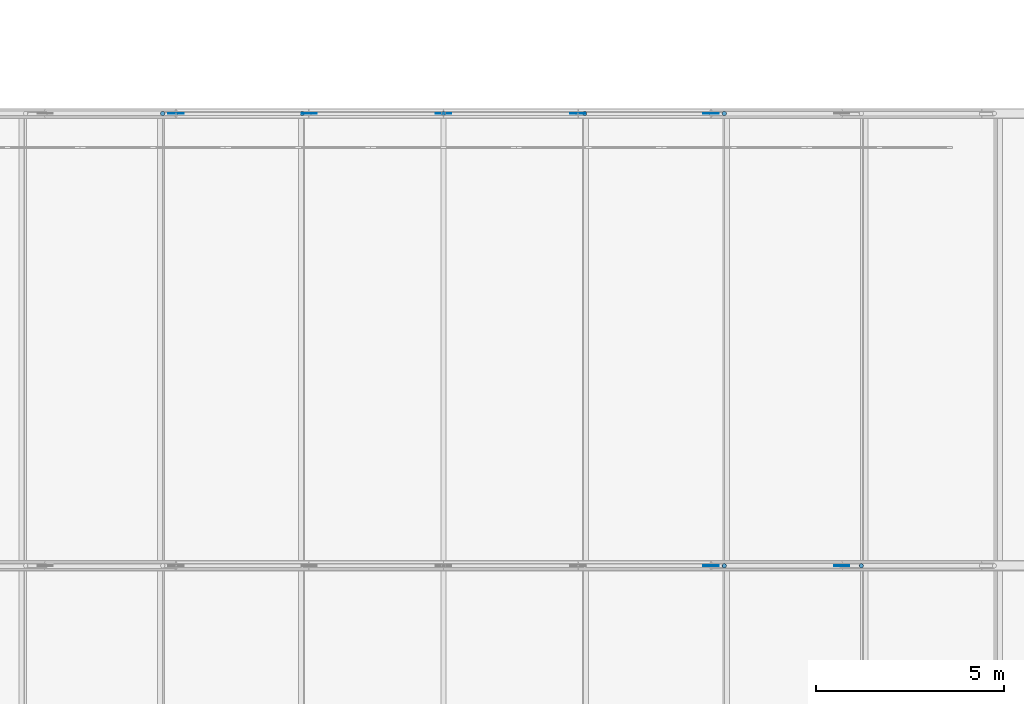
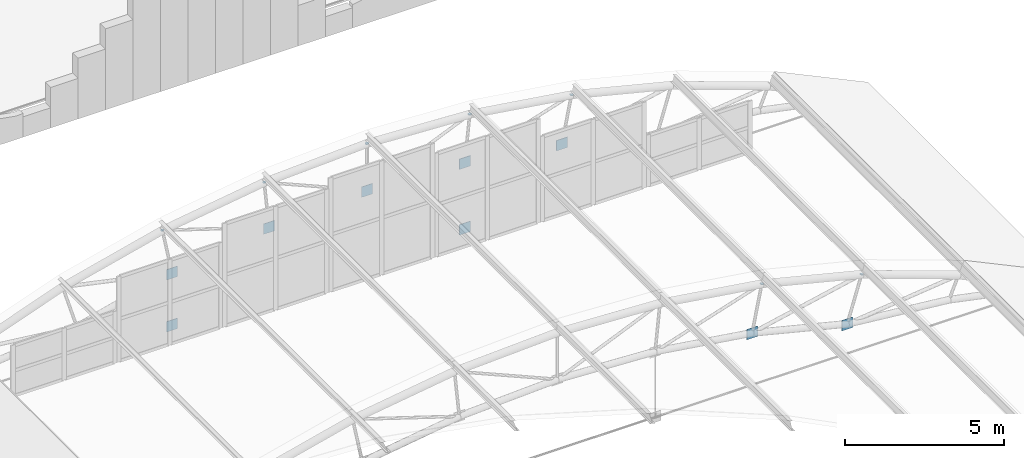
# One storey, part 309 of 321: 16 discrete accessories.
"""IFC4 building model written with IfcOpenShell, lengths in metres."""

from ifc_helpers import new_model, si_unit, direction, frame, origin, origin_2d, place, context, subcontext, project, spatial, rectangle, circle, extrude, material, material_profile, profile_set, type_object, element, save


model = new_model("IFC4")

# Units and contexts
model_context = context("Model", 3, precision=1e-05, world=origin(), true_north=direction((0.0, 1.0)))
body_context = subcontext(model_context, "Body", "Model", "MODEL_VIEW")
ifc_project = project(units=[si_unit("LENGTHUNIT", "METRE"), si_unit("AREAUNIT", "SQUARE_METRE"), si_unit("VOLUMEUNIT", "CUBIC_METRE"), si_unit("PLANEANGLEUNIT", "RADIAN"), si_unit("MASSUNIT", "GRAM", prefix="KILO")], contexts=[model_context])

# Site, building, storey
site_placement = place(None, origin())
site = spatial("IfcSite", under=ifc_project, at=site_placement, CompositionType="ELEMENT")
building_placement = place(site_placement, origin())
building = spatial("IfcBuilding", under=site, at=building_placement, Name="Ravi Spectrum Wholesale Market", CompositionType="ELEMENT")
storey_placement = place(building_placement, frame((0.0, 0.0, 10.800048828125)))
storey = spatial("IfcBuildingStorey", under=building, at=storey_placement, Name="L02", CompositionType="ELEMENT", Elevation=10.800048828125)

# Discrete accessories
ifc_material_1 = material(Name="Steel S355", Category="steel")
ifc_material_profile_1 = material_profile(ifc_material_1, circle(Radius=0.05712890625, at=origin_2d()))
ifc_profile_set_1 = profile_set([ifc_material_profile_1], Name="Steel S355")
discrete_accessory_type_1 = type_object("IfcDiscreteAccessoryType", Name="End plate CHS 114.3x4", PredefinedType="BRACKET", material=ifc_profile_set_1)
for number, where, z_axis, x_axis, name in (
    (1, (187.448486328125, 174.0, 3.767822265625), (0.18428853505, 0.0, 0.982872186934), (0.0, 1.0, 0.0), "End plate"),
    (2, (191.083251953125, 174.0, 2.859130859375), (0.2854765866, 0.0, 0.958385683586), (0.0, 1.0, 0.0), "End plate"),
    (3, (172.551513671875, 186.0, 3.767822265625), (-0.18428853505, 0.0, 0.982872186934), (0.0, -1.0, 0.0), "End plate"),
    (4, (176.2578125, 186.0, 4.31640625), (-0.101513688013, 0.0, 0.994834142531), (0.0, -1.0, 0.0), "End plate"),
    (5, (180.0, 186.0, 4.5), (0.0, 0.0, 1.0), (1.0, 0.0, 0.0), "End plate"),
    (6, (183.7421875, 186.0, 4.31640625), (0.101513688013, 0.0, 0.994834142531), (0.0, 1.0, 0.0), "End plate"),
    (7, (187.448486328125, 186.0, 3.767822265625), (0.18428853505, 0.0, 0.982872186934), (0.0, 1.0, 0.0), "End plate"),
):
    element("IfcDiscreteAccessory", number, at=place(storey_placement, frame(where, z_axis=z_axis, x_axis=x_axis)), inside=storey, type_object=discrete_accessory_type_1, Name=name, PredefinedType="BRACKET", context=body_context, shape_type="SweptSolid", body=[
        extrude(circle(Radius=0.05712890625, at=origin_2d()), origin(), (0.0, 0.0, 1.0), 0.011962890625),
    ])
ifc_material_2 = material(Name="Steel S355", Category="steel")
ifc_material_profile_2 = material_profile(ifc_material_2, rectangle(XDim=0.39990234375, YDim=0.02001953125, at=origin_2d()))
ifc_profile_set_2 = profile_set([ifc_material_profile_2], Name="Steel S355")
discrete_accessory_type_2 = type_object("IfcDiscreteAccessoryType", Name="Gusset plate 400x400x20", PredefinedType="BRACKET", material=ifc_profile_set_2)
for number, where, z_axis, x_axis, name in (
    (8, (172.902099609375, 186.0, -0.199951171875), (0.0, 0.0, 1.0), (1.0, 0.0, 0.0), "Gusset plate"),
    (9, (172.902099609375, 186.0, 1.80224609375), (0.0, 0.0, 1.0), (1.0, 0.0, 0.0), "Gusset plate"),
    (10, (176.433837890625, 186.0, 2.3251953125), (0.0, 0.0, 1.0), (1.0, 0.0, 0.0), "Gusset plate"),
    (11, (180.0, 186.0, 2.5), (0.0, 0.0, 1.0), (1.0, 0.0, 0.0), "Gusset plate"),
    (12, (183.566162109375, 186.0, -0.199951171875), (0.0, 0.0, 1.0), (1.0, 0.0, 0.0), "Gusset plate"),
    (13, (183.566162109375, 186.0, 2.3251953125), (0.0, 0.0, 1.0), (-1.0, 0.0, 0.0), "Gusset plate"),
    (14, (187.097900390625, 174.0, 1.80224609375), (0.0, 0.0, 1.0), (-1.0, 0.0, 0.0), "Gusset plate"),
    (15, (187.097900390625, 186.0, 1.80224609375), (0.0, 0.0, 1.0), (-1.0, 0.0, 0.0), "Gusset plate"),
    (16, (190.561767578125, 174.0, 0.936279296875), (0.0, 0.0, 1.0), (-1.0, 0.0, 0.0), "Gusset plate"),
):
    element("IfcDiscreteAccessory", number, at=place(storey_placement, frame(where, z_axis=z_axis, x_axis=x_axis)), inside=storey, type_object=discrete_accessory_type_2, Name=name, PredefinedType="BRACKET", context=body_context, shape_type="SweptSolid", body=[
        extrude(rectangle(XDim=0.39990234375, YDim=0.02001953125, at=origin_2d()), origin(), (0.0, 0.0, 1.0), 0.39990234375),
    ])

save(model, "model.ifc")
